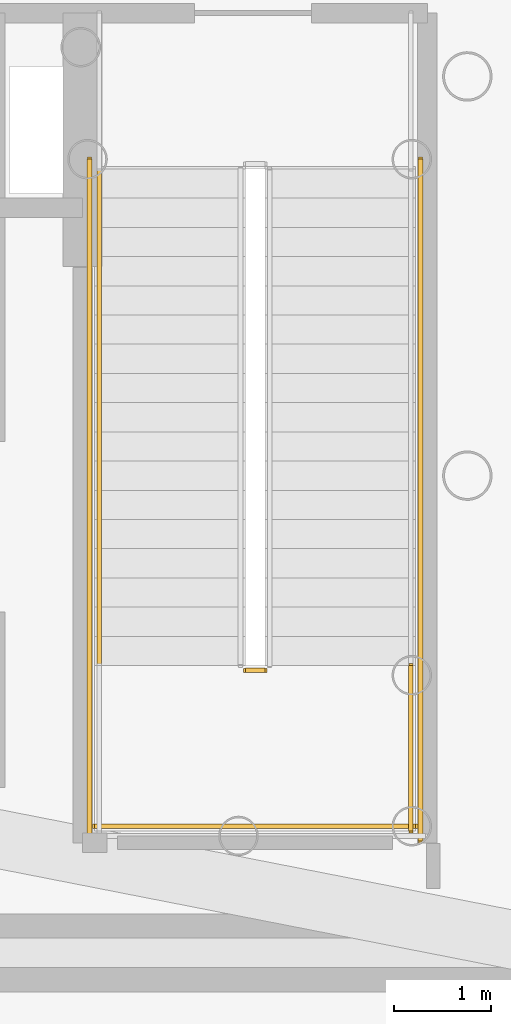
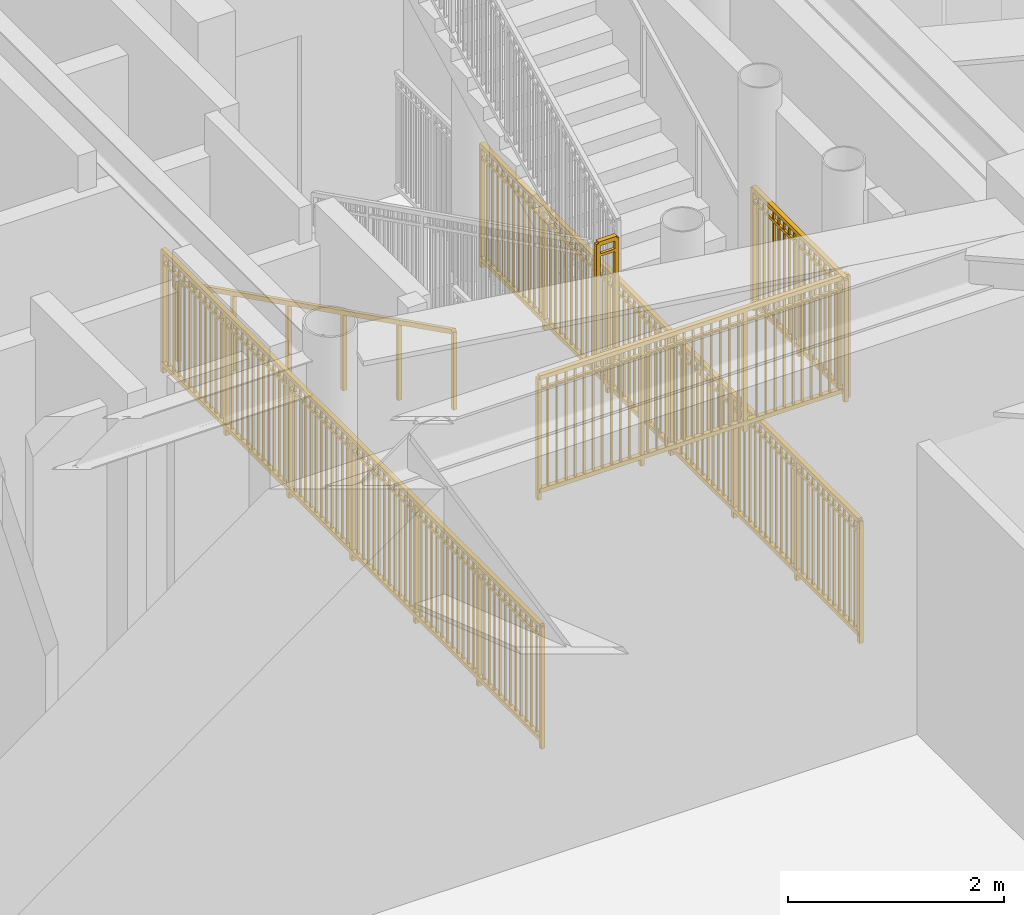
# One storey, part 13 of 15: 6 railings.
"""IFC4 building model written with IfcOpenShell, lengths in metres."""

from ifc_helpers import new_model, si_unit, direction, frame, origin, origin_2d, place, context, subcontext, project, spatial, rectangle, extrude, source, transform, mapped, material, type_object, element, save


model = new_model("IFC4")

# Units and contexts
model_context = context("Model", 3, precision=1e-05, world=origin(), true_north=direction((0.0, 1.0)))
body_context = subcontext(model_context, "Body", "Model", "MODEL_VIEW")
ifc_project = project(units=[si_unit("LENGTHUNIT", "METRE"), si_unit("AREAUNIT", "SQUARE_METRE"), si_unit("VOLUMEUNIT", "CUBIC_METRE"), si_unit("PLANEANGLEUNIT", "RADIAN"), si_unit("MASSUNIT", "GRAM", prefix="KILO")], contexts=[model_context])

# Site, building, storey
site_placement = place(None, origin())
site = spatial("IfcSite", under=ifc_project, at=site_placement, CompositionType="ELEMENT")
building_placement = place(site_placement, origin())
building = spatial("IfcBuilding", under=site, at=building_placement, Name="Linh Dai School and Residence Tower", CompositionType="ELEMENT")
storey_placement = place(building_placement, frame((0.0, 0.0, 145.949951171875)))
storey = spatial("IfcBuildingStorey", under=building, at=storey_placement, Name="L35", CompositionType="ELEMENT", Elevation=145.949951171875)

# Railings
ifc_material_1 = material(Name="Brushed Stainless Steel Handrail", Category="steel")
railing_type_1 = type_object("IfcRailingType", Name="RL-ST-HANDRAIL-900", PredefinedType="HANDRAIL", material=ifc_material_1)
shared_shape_1 = source(origin(), body_context, "Body", "SweptSolid", [
    extrude(rectangle(XDim=0.048095703125, YDim=0.048095703125, at=origin_2d()), frame((0.0, 0.0, 0.8759765625), z_axis=(0.0, -0.89444431709, 0.44717934168), x_axis=(1.0, 0.0, 0.0)), (0.0, 0.0, 1.0), 5.701904296875),
    extrude(rectangle(XDim=0.0419921875, YDim=0.0419921875, at=origin_2d()), origin(), (0.0, 0.0, 1.0), 0.8759765625),
    extrude(rectangle(XDim=0.0419921875, YDim=0.0419921875, at=origin_2d()), frame((0.0, -1.02001953125, 0.510009765625)), (0.0, 0.0, 1.0), 0.8759765625),
    extrude(rectangle(XDim=0.0419921875, YDim=0.0419921875, at=origin_2d()), frame((0.0, -2.0400390625, 1.02001953125)), (0.0, 0.0, 1.0), 0.8759765625),
    extrude(rectangle(XDim=0.0419921875, YDim=0.0419921875, at=origin_2d()), frame((0.0, -3.06005859375, 1.52978515625)), (0.0, 0.0, 1.0), 0.8759765625),
    extrude(rectangle(XDim=0.0419921875, YDim=0.0419921875, at=origin_2d()), frame((0.0, -4.080078125, 2.039794921875)), (0.0, 0.0, 1.0), 0.8759765625),
    extrude(rectangle(XDim=0.0419921875, YDim=0.0419921875, at=origin_2d()), frame((0.0, -5.10009765625, 2.5498046875)), (0.0, 0.0, 1.0), 0.8759765625),
])
railing_1_placement = place(storey_placement, frame((41.070068359375, 28.25, 0.150146484375)))
element("IfcRailing", 1, at=railing_1_placement, inside=storey, type_object=railing_type_1, Name="L35 ST2 stair handrail 1", PredefinedType="HANDRAIL", context=body_context, shape_type="MappedRepresentation", body=[
    mapped(shared_shape_1, transform((0.0, 0.0, 0.0), x_axis=(1.0, 0.0, 0.0), y_axis=(0.0, 1.0, 0.0), z_axis=(0.0, 0.0, 1.0), scale=1.0)),
])
ifc_material_2 = material(Name="Structural Steel S355JR", Category="steel")
railing_type_2 = type_object("IfcRailingType", Name="RL-ST-GUARD-1400", PredefinedType="GUARDRAIL", material=ifc_material_2)
shared_shape_2 = source(origin(), body_context, "Body", "SweptSolid", [
    extrude(rectangle(XDim=0.048095703125, YDim=0.048095703125, at=origin_2d()), frame((0.0, 0.0, 1.3759765625), z_axis=(1.0, 0.0, 0.0), x_axis=(0.0, 1.0, 0.0)), (0.0, 0.0, 1.0), 0.199951171875),
    extrude(rectangle(XDim=0.048095703125, YDim=0.048095703125, at=origin_2d()), frame((0.0, 0.0, 0.10009765625), z_axis=(1.0, 0.0, 0.0), x_axis=(0.0, 1.0, 0.0)), (0.0, 0.0, 1.0), 0.199951171875),
    extrude(rectangle(XDim=0.030029296875, YDim=0.030029296875, at=origin_2d()), frame((0.0, 0.0, 1.239990234375), z_axis=(1.0, 0.0, 0.0), x_axis=(0.0, 1.0, 0.0)), (0.0, 0.0, 1.0), 0.199951171875),
    extrude(rectangle(XDim=0.0419921875, YDim=0.0419921875, at=origin_2d()), origin(), (0.0, 0.0, 1.0), 1.3759765625),
    extrude(rectangle(XDim=0.0419921875, YDim=0.0419921875, at=origin_2d()), frame((0.199951171875, 0.0, 0.0)), (0.0, 0.0, 1.0), 1.3759765625),
])
railing_2_placement = place(storey_placement, frame((42.570068359375, 23.10009765625, 2.699951171875)))
element("IfcRailing", 2, at=railing_2_placement, inside=storey, type_object=railing_type_2, Name="L35 ST2 stair guard 2", PredefinedType="GUARDRAIL", context=body_context, shape_type="MappedRepresentation", body=[
    mapped(shared_shape_2, transform((0.0, 0.0, 0.0), x_axis=(1.0, 0.0, 0.0), y_axis=(0.0, 1.0, 0.0), z_axis=(0.0, 0.0, 1.0), scale=1.0)),
])
shared_shape_3 = source(origin(), body_context, "Body", "SweptSolid", [
    extrude(rectangle(XDim=0.048095703125, YDim=0.048095703125, at=origin_2d()), frame((0.0, 0.0, 1.3759765625), z_axis=(1.0, 0.0, 0.0), x_axis=(0.0, 1.0, 0.0)), (0.0, 0.0, 1.0), 3.300048828125),
    extrude(rectangle(XDim=0.048095703125, YDim=0.048095703125, at=origin_2d()), frame((0.0, 0.0, 0.10009765625), z_axis=(1.0, 0.0, 0.0), x_axis=(0.0, 1.0, 0.0)), (0.0, 0.0, 1.0), 3.300048828125),
    extrude(rectangle(XDim=0.030029296875, YDim=0.030029296875, at=origin_2d()), frame((0.0, 0.0, 1.239990234375), z_axis=(1.0, 0.0, 0.0), x_axis=(0.0, 1.0, 0.0)), (0.0, 0.0, 1.0), 3.300048828125),
    extrude(rectangle(XDim=0.02001953125, YDim=0.02001953125, at=origin_2d()), frame((0.09716796875, 0.0, 0.10009765625)), (0.0, 0.0, 1.0), 1.251708984375),
    extrude(rectangle(XDim=0.02001953125, YDim=0.02001953125, at=origin_2d()), frame((0.194091796875, 0.0, 0.10009765625)), (0.0, 0.0, 1.0), 1.251708984375),
    extrude(rectangle(XDim=0.02001953125, YDim=0.02001953125, at=origin_2d()), frame((0.291259765625, 0.0, 0.10009765625)), (0.0, 0.0, 1.0), 1.251708984375),
    extrude(rectangle(XDim=0.02001953125, YDim=0.02001953125, at=origin_2d()), frame((0.38818359375, 0.0, 0.10009765625)), (0.0, 0.0, 1.0), 1.251708984375),
    extrude(rectangle(XDim=0.02001953125, YDim=0.02001953125, at=origin_2d()), frame((0.4853515625, 0.0, 0.10009765625)), (0.0, 0.0, 1.0), 1.251708984375),
    extrude(rectangle(XDim=0.02001953125, YDim=0.02001953125, at=origin_2d()), frame((0.582275390625, 0.0, 0.10009765625)), (0.0, 0.0, 1.0), 1.251708984375),
    extrude(rectangle(XDim=0.02001953125, YDim=0.02001953125, at=origin_2d()), frame((0.679443359375, 0.0, 0.10009765625)), (0.0, 0.0, 1.0), 1.251708984375),
    extrude(rectangle(XDim=0.02001953125, YDim=0.02001953125, at=origin_2d()), frame((0.7763671875, 0.0, 0.10009765625)), (0.0, 0.0, 1.0), 1.251708984375),
    extrude(rectangle(XDim=0.02001953125, YDim=0.02001953125, at=origin_2d()), frame((0.87353515625, 0.0, 0.10009765625)), (0.0, 0.0, 1.0), 1.251708984375),
    extrude(rectangle(XDim=0.02001953125, YDim=0.02001953125, at=origin_2d()), frame((0.970703125, 0.0, 0.10009765625)), (0.0, 0.0, 1.0), 1.251708984375),
    extrude(rectangle(XDim=0.02001953125, YDim=0.02001953125, at=origin_2d()), frame((1.164794921875, 0.0, 0.10009765625)), (0.0, 0.0, 1.0), 1.251708984375),
    extrude(rectangle(XDim=0.02001953125, YDim=0.02001953125, at=origin_2d()), frame((1.26171875, 0.0, 0.10009765625)), (0.0, 0.0, 1.0), 1.251708984375),
    extrude(rectangle(XDim=0.02001953125, YDim=0.02001953125, at=origin_2d()), frame((1.35888671875, 0.0, 0.10009765625)), (0.0, 0.0, 1.0), 1.251708984375),
    extrude(rectangle(XDim=0.02001953125, YDim=0.02001953125, at=origin_2d()), frame((1.455810546875, 0.0, 0.10009765625)), (0.0, 0.0, 1.0), 1.251708984375),
    extrude(rectangle(XDim=0.02001953125, YDim=0.02001953125, at=origin_2d()), frame((1.552978515625, 0.0, 0.10009765625)), (0.0, 0.0, 1.0), 1.251708984375),
    extrude(rectangle(XDim=0.02001953125, YDim=0.02001953125, at=origin_2d()), frame((1.64990234375, 0.0, 0.10009765625)), (0.0, 0.0, 1.0), 1.251708984375),
    extrude(rectangle(XDim=0.02001953125, YDim=0.02001953125, at=origin_2d()), frame((1.7470703125, 0.0, 0.10009765625)), (0.0, 0.0, 1.0), 1.251708984375),
    extrude(rectangle(XDim=0.02001953125, YDim=0.02001953125, at=origin_2d()), frame((1.84423828125, 0.0, 0.10009765625)), (0.0, 0.0, 1.0), 1.251708984375),
    extrude(rectangle(XDim=0.02001953125, YDim=0.02001953125, at=origin_2d()), frame((1.941162109375, 0.0, 0.10009765625)), (0.0, 0.0, 1.0), 1.251708984375),
    extrude(rectangle(XDim=0.02001953125, YDim=0.02001953125, at=origin_2d()), frame((2.038330078125, 0.0, 0.10009765625)), (0.0, 0.0, 1.0), 1.251708984375),
    extrude(rectangle(XDim=0.02001953125, YDim=0.02001953125, at=origin_2d()), frame((2.13525390625, 0.0, 0.10009765625)), (0.0, 0.0, 1.0), 1.251708984375),
    extrude(rectangle(XDim=0.02001953125, YDim=0.02001953125, at=origin_2d()), frame((2.329345703125, 0.0, 0.10009765625)), (0.0, 0.0, 1.0), 1.251708984375),
    extrude(rectangle(XDim=0.02001953125, YDim=0.02001953125, at=origin_2d()), frame((2.426513671875, 0.0, 0.10009765625)), (0.0, 0.0, 1.0), 1.251708984375),
    extrude(rectangle(XDim=0.02001953125, YDim=0.02001953125, at=origin_2d()), frame((2.523681640625, 0.0, 0.10009765625)), (0.0, 0.0, 1.0), 1.251708984375),
    extrude(rectangle(XDim=0.02001953125, YDim=0.02001953125, at=origin_2d()), frame((2.62060546875, 0.0, 0.10009765625)), (0.0, 0.0, 1.0), 1.251708984375),
    extrude(rectangle(XDim=0.02001953125, YDim=0.02001953125, at=origin_2d()), frame((2.7177734375, 0.0, 0.10009765625)), (0.0, 0.0, 1.0), 1.251708984375),
    extrude(rectangle(XDim=0.02001953125, YDim=0.02001953125, at=origin_2d()), frame((2.814697265625, 0.0, 0.10009765625)), (0.0, 0.0, 1.0), 1.251708984375),
    extrude(rectangle(XDim=0.02001953125, YDim=0.02001953125, at=origin_2d()), frame((2.911865234375, 0.0, 0.10009765625)), (0.0, 0.0, 1.0), 1.251708984375),
    extrude(rectangle(XDim=0.02001953125, YDim=0.02001953125, at=origin_2d()), frame((3.0087890625, 0.0, 0.10009765625)), (0.0, 0.0, 1.0), 1.251708984375),
    extrude(rectangle(XDim=0.02001953125, YDim=0.02001953125, at=origin_2d()), frame((3.10595703125, 0.0, 0.10009765625)), (0.0, 0.0, 1.0), 1.251708984375),
    extrude(rectangle(XDim=0.02001953125, YDim=0.02001953125, at=origin_2d()), frame((3.202880859375, 0.0, 0.10009765625)), (0.0, 0.0, 1.0), 1.251708984375),
    extrude(rectangle(XDim=0.0419921875, YDim=0.0419921875, at=origin_2d()), origin(), (0.0, 0.0, 1.0), 1.3759765625),
    extrude(rectangle(XDim=0.0419921875, YDim=0.0419921875, at=origin_2d()), frame((1.10009765625, 0.0, 0.0)), (0.0, 0.0, 1.0), 1.3759765625),
    extrude(rectangle(XDim=0.0419921875, YDim=0.0419921875, at=origin_2d()), frame((2.199951171875, 0.0, 0.0)), (0.0, 0.0, 1.0), 1.3759765625),
    extrude(rectangle(XDim=0.0419921875, YDim=0.0419921875, at=origin_2d()), frame((3.300048828125, 0.0, 0.0)), (0.0, 0.0, 1.0), 1.3759765625),
])
railing_3_placement = place(storey_placement, frame((41.02001953125, 21.5, 2.699951171875)))
element("IfcRailing", 3, at=railing_3_placement, inside=storey, type_object=railing_type_2, Name="L35 ST2 stair guard 5", PredefinedType="GUARDRAIL", context=body_context, shape_type="MappedRepresentation", body=[
    mapped(shared_shape_3, transform((0.0, 0.0, 0.0), x_axis=(1.0, 0.0, 0.0), y_axis=(0.0, 1.0, 0.0), z_axis=(0.0, 0.0, 1.0), scale=1.0)),
])
shared_shape_4 = source(origin(), body_context, "Body", "SweptSolid", [
    extrude(rectangle(XDim=0.048095703125, YDim=0.048095703125, at=origin_2d()), frame((0.0, 0.0, 1.3759765625), z_axis=(0.0, -1.0, 0.0), x_axis=(1.0, 0.0, 0.0)), (0.0, 0.0, 1.0), 7.0),
    extrude(rectangle(XDim=0.048095703125, YDim=0.048095703125, at=origin_2d()), frame((0.0, 0.0, 0.10009765625), z_axis=(0.0, -1.0, 0.0), x_axis=(1.0, 0.0, 0.0)), (0.0, 0.0, 1.0), 7.0),
    extrude(rectangle(XDim=0.030029296875, YDim=0.030029296875, at=origin_2d()), frame((0.0, 0.0, 1.239990234375), z_axis=(0.0, -1.0, 0.0), x_axis=(1.0, 0.0, 0.0)), (0.0, 0.0, 1.0), 7.0),
    extrude(rectangle(XDim=0.02001953125, YDim=0.02001953125, at=origin_2d()), frame((0.0, -0.09716796875, 0.10009765625)), (0.0, 0.0, 1.0), 1.251708984375),
    extrude(rectangle(XDim=0.02001953125, YDim=0.02001953125, at=origin_2d()), frame((0.0, -0.1943359375, 0.10009765625)), (0.0, 0.0, 1.0), 1.251708984375),
    extrude(rectangle(XDim=0.02001953125, YDim=0.02001953125, at=origin_2d()), frame((0.0, -0.291748046875, 0.10009765625)), (0.0, 0.0, 1.0), 1.251708984375),
    extrude(rectangle(XDim=0.02001953125, YDim=0.02001953125, at=origin_2d()), frame((0.0, -0.388916015625, 0.10009765625)), (0.0, 0.0, 1.0), 1.251708984375),
    extrude(rectangle(XDim=0.02001953125, YDim=0.02001953125, at=origin_2d()), frame((0.0, -0.486083984375, 0.10009765625)), (0.0, 0.0, 1.0), 1.251708984375),
    extrude(rectangle(XDim=0.02001953125, YDim=0.02001953125, at=origin_2d()), frame((0.0, -0.583251953125, 0.10009765625)), (0.0, 0.0, 1.0), 1.251708984375),
    extrude(rectangle(XDim=0.02001953125, YDim=0.02001953125, at=origin_2d()), frame((0.0, -0.6806640625, 0.10009765625)), (0.0, 0.0, 1.0), 1.251708984375),
    extrude(rectangle(XDim=0.02001953125, YDim=0.02001953125, at=origin_2d()), frame((0.0, -0.77783203125, 0.10009765625)), (0.0, 0.0, 1.0), 1.251708984375),
    extrude(rectangle(XDim=0.02001953125, YDim=0.02001953125, at=origin_2d()), frame((0.0, -0.875, 0.10009765625)), (0.0, 0.0, 1.0), 1.251708984375),
    extrude(rectangle(XDim=0.02001953125, YDim=0.02001953125, at=origin_2d()), frame((0.0, -0.97216796875, 0.10009765625)), (0.0, 0.0, 1.0), 1.251708984375),
    extrude(rectangle(XDim=0.02001953125, YDim=0.02001953125, at=origin_2d()), frame((0.0, -1.0693359375, 0.10009765625)), (0.0, 0.0, 1.0), 1.251708984375),
    extrude(rectangle(XDim=0.02001953125, YDim=0.02001953125, at=origin_2d()), frame((0.0, -1.263916015625, 0.10009765625)), (0.0, 0.0, 1.0), 1.251708984375),
    extrude(rectangle(XDim=0.02001953125, YDim=0.02001953125, at=origin_2d()), frame((0.0, -1.361083984375, 0.10009765625)), (0.0, 0.0, 1.0), 1.251708984375),
    extrude(rectangle(XDim=0.02001953125, YDim=0.02001953125, at=origin_2d()), frame((0.0, -1.458251953125, 0.10009765625)), (0.0, 0.0, 1.0), 1.251708984375),
    extrude(rectangle(XDim=0.02001953125, YDim=0.02001953125, at=origin_2d()), frame((0.0, -1.5556640625, 0.10009765625)), (0.0, 0.0, 1.0), 1.251708984375),
    extrude(rectangle(XDim=0.02001953125, YDim=0.02001953125, at=origin_2d()), frame((0.0, -1.65283203125, 0.10009765625)), (0.0, 0.0, 1.0), 1.251708984375),
    extrude(rectangle(XDim=0.02001953125, YDim=0.02001953125, at=origin_2d()), frame((0.0, -1.75, 0.10009765625)), (0.0, 0.0, 1.0), 1.251708984375),
    extrude(rectangle(XDim=0.02001953125, YDim=0.02001953125, at=origin_2d()), frame((0.0, -1.84716796875, 0.10009765625)), (0.0, 0.0, 1.0), 1.251708984375),
    extrude(rectangle(XDim=0.02001953125, YDim=0.02001953125, at=origin_2d()), frame((0.0, -1.9443359375, 0.10009765625)), (0.0, 0.0, 1.0), 1.251708984375),
    extrude(rectangle(XDim=0.02001953125, YDim=0.02001953125, at=origin_2d()), frame((0.0, -2.041748046875, 0.10009765625)), (0.0, 0.0, 1.0), 1.251708984375),
    extrude(rectangle(XDim=0.02001953125, YDim=0.02001953125, at=origin_2d()), frame((0.0, -2.138916015625, 0.10009765625)), (0.0, 0.0, 1.0), 1.251708984375),
    extrude(rectangle(XDim=0.02001953125, YDim=0.02001953125, at=origin_2d()), frame((0.0, -2.236083984375, 0.10009765625)), (0.0, 0.0, 1.0), 1.251708984375),
    extrude(rectangle(XDim=0.02001953125, YDim=0.02001953125, at=origin_2d()), frame((0.0, -2.4306640625, 0.10009765625)), (0.0, 0.0, 1.0), 1.251708984375),
    extrude(rectangle(XDim=0.02001953125, YDim=0.02001953125, at=origin_2d()), frame((0.0, -2.52783203125, 0.10009765625)), (0.0, 0.0, 1.0), 1.251708984375),
    extrude(rectangle(XDim=0.02001953125, YDim=0.02001953125, at=origin_2d()), frame((0.0, -2.625, 0.10009765625)), (0.0, 0.0, 1.0), 1.251708984375),
    extrude(rectangle(XDim=0.02001953125, YDim=0.02001953125, at=origin_2d()), frame((0.0, -2.72216796875, 0.10009765625)), (0.0, 0.0, 1.0), 1.251708984375),
    extrude(rectangle(XDim=0.02001953125, YDim=0.02001953125, at=origin_2d()), frame((0.0, -2.8193359375, 0.10009765625)), (0.0, 0.0, 1.0), 1.251708984375),
    extrude(rectangle(XDim=0.02001953125, YDim=0.02001953125, at=origin_2d()), frame((0.0, -2.916748046875, 0.10009765625)), (0.0, 0.0, 1.0), 1.251708984375),
    extrude(rectangle(XDim=0.02001953125, YDim=0.02001953125, at=origin_2d()), frame((0.0, -3.013916015625, 0.10009765625)), (0.0, 0.0, 1.0), 1.251708984375),
    extrude(rectangle(XDim=0.02001953125, YDim=0.02001953125, at=origin_2d()), frame((0.0, -3.111083984375, 0.10009765625)), (0.0, 0.0, 1.0), 1.251708984375),
    extrude(rectangle(XDim=0.02001953125, YDim=0.02001953125, at=origin_2d()), frame((0.0, -3.208251953125, 0.10009765625)), (0.0, 0.0, 1.0), 1.251708984375),
    extrude(rectangle(XDim=0.02001953125, YDim=0.02001953125, at=origin_2d()), frame((0.0, -3.3056640625, 0.10009765625)), (0.0, 0.0, 1.0), 1.251708984375),
    extrude(rectangle(XDim=0.02001953125, YDim=0.02001953125, at=origin_2d()), frame((0.0, -3.40283203125, 0.10009765625)), (0.0, 0.0, 1.0), 1.251708984375),
    extrude(rectangle(XDim=0.02001953125, YDim=0.02001953125, at=origin_2d()), frame((0.0, -3.59716796875, 0.10009765625)), (0.0, 0.0, 1.0), 1.251708984375),
    extrude(rectangle(XDim=0.02001953125, YDim=0.02001953125, at=origin_2d()), frame((0.0, -3.6943359375, 0.10009765625)), (0.0, 0.0, 1.0), 1.251708984375),
    extrude(rectangle(XDim=0.02001953125, YDim=0.02001953125, at=origin_2d()), frame((0.0, -3.791748046875, 0.10009765625)), (0.0, 0.0, 1.0), 1.251708984375),
    extrude(rectangle(XDim=0.02001953125, YDim=0.02001953125, at=origin_2d()), frame((0.0, -3.888916015625, 0.10009765625)), (0.0, 0.0, 1.0), 1.251708984375),
    extrude(rectangle(XDim=0.02001953125, YDim=0.02001953125, at=origin_2d()), frame((0.0, -3.986083984375, 0.10009765625)), (0.0, 0.0, 1.0), 1.251708984375),
    extrude(rectangle(XDim=0.02001953125, YDim=0.02001953125, at=origin_2d()), frame((0.0, -4.083251953125, 0.10009765625)), (0.0, 0.0, 1.0), 1.251708984375),
    extrude(rectangle(XDim=0.02001953125, YDim=0.02001953125, at=origin_2d()), frame((0.0, -4.1806640625, 0.10009765625)), (0.0, 0.0, 1.0), 1.251708984375),
    extrude(rectangle(XDim=0.02001953125, YDim=0.02001953125, at=origin_2d()), frame((0.0, -4.27783203125, 0.10009765625)), (0.0, 0.0, 1.0), 1.251708984375),
    extrude(rectangle(XDim=0.02001953125, YDim=0.02001953125, at=origin_2d()), frame((0.0, -4.375, 0.10009765625)), (0.0, 0.0, 1.0), 1.251708984375),
    extrude(rectangle(XDim=0.02001953125, YDim=0.02001953125, at=origin_2d()), frame((0.0, -4.47216796875, 0.10009765625)), (0.0, 0.0, 1.0), 1.251708984375),
    extrude(rectangle(XDim=0.02001953125, YDim=0.02001953125, at=origin_2d()), frame((0.0, -4.5693359375, 0.10009765625)), (0.0, 0.0, 1.0), 1.251708984375),
    extrude(rectangle(XDim=0.02001953125, YDim=0.02001953125, at=origin_2d()), frame((0.0, -4.763916015625, 0.10009765625)), (0.0, 0.0, 1.0), 1.251708984375),
    extrude(rectangle(XDim=0.02001953125, YDim=0.02001953125, at=origin_2d()), frame((0.0, -4.861083984375, 0.10009765625)), (0.0, 0.0, 1.0), 1.251708984375),
    extrude(rectangle(XDim=0.02001953125, YDim=0.02001953125, at=origin_2d()), frame((0.0, -4.958251953125, 0.10009765625)), (0.0, 0.0, 1.0), 1.251708984375),
    extrude(rectangle(XDim=0.02001953125, YDim=0.02001953125, at=origin_2d()), frame((0.0, -5.0556640625, 0.10009765625)), (0.0, 0.0, 1.0), 1.251708984375),
    extrude(rectangle(XDim=0.02001953125, YDim=0.02001953125, at=origin_2d()), frame((0.0, -5.15283203125, 0.10009765625)), (0.0, 0.0, 1.0), 1.251708984375),
    extrude(rectangle(XDim=0.02001953125, YDim=0.02001953125, at=origin_2d()), frame((0.0, -5.25, 0.10009765625)), (0.0, 0.0, 1.0), 1.251708984375),
    extrude(rectangle(XDim=0.02001953125, YDim=0.02001953125, at=origin_2d()), frame((0.0, -5.34716796875, 0.10009765625)), (0.0, 0.0, 1.0), 1.251708984375),
    extrude(rectangle(XDim=0.02001953125, YDim=0.02001953125, at=origin_2d()), frame((0.0, -5.4443359375, 0.10009765625)), (0.0, 0.0, 1.0), 1.251708984375),
    extrude(rectangle(XDim=0.02001953125, YDim=0.02001953125, at=origin_2d()), frame((0.0, -5.541748046875, 0.10009765625)), (0.0, 0.0, 1.0), 1.251708984375),
    extrude(rectangle(XDim=0.02001953125, YDim=0.02001953125, at=origin_2d()), frame((0.0, -5.638916015625, 0.10009765625)), (0.0, 0.0, 1.0), 1.251708984375),
    extrude(rectangle(XDim=0.02001953125, YDim=0.02001953125, at=origin_2d()), frame((0.0, -5.736083984375, 0.10009765625)), (0.0, 0.0, 1.0), 1.251708984375),
    extrude(rectangle(XDim=0.02001953125, YDim=0.02001953125, at=origin_2d()), frame((0.0, -5.9306640625, 0.10009765625)), (0.0, 0.0, 1.0), 1.251708984375),
    extrude(rectangle(XDim=0.02001953125, YDim=0.02001953125, at=origin_2d()), frame((0.0, -6.02783203125, 0.10009765625)), (0.0, 0.0, 1.0), 1.251708984375),
    extrude(rectangle(XDim=0.02001953125, YDim=0.02001953125, at=origin_2d()), frame((0.0, -6.125, 0.10009765625)), (0.0, 0.0, 1.0), 1.251708984375),
    extrude(rectangle(XDim=0.02001953125, YDim=0.02001953125, at=origin_2d()), frame((0.0, -6.22216796875, 0.10009765625)), (0.0, 0.0, 1.0), 1.251708984375),
    extrude(rectangle(XDim=0.02001953125, YDim=0.02001953125, at=origin_2d()), frame((0.0, -6.3193359375, 0.10009765625)), (0.0, 0.0, 1.0), 1.251708984375),
    extrude(rectangle(XDim=0.02001953125, YDim=0.02001953125, at=origin_2d()), frame((0.0, -6.416748046875, 0.10009765625)), (0.0, 0.0, 1.0), 1.251708984375),
    extrude(rectangle(XDim=0.02001953125, YDim=0.02001953125, at=origin_2d()), frame((0.0, -6.513916015625, 0.10009765625)), (0.0, 0.0, 1.0), 1.251708984375),
    extrude(rectangle(XDim=0.02001953125, YDim=0.02001953125, at=origin_2d()), frame((0.0, -6.611083984375, 0.10009765625)), (0.0, 0.0, 1.0), 1.251708984375),
    extrude(rectangle(XDim=0.02001953125, YDim=0.02001953125, at=origin_2d()), frame((0.0, -6.708251953125, 0.10009765625)), (0.0, 0.0, 1.0), 1.251708984375),
    extrude(rectangle(XDim=0.02001953125, YDim=0.02001953125, at=origin_2d()), frame((0.0, -6.8056640625, 0.10009765625)), (0.0, 0.0, 1.0), 1.251708984375),
    extrude(rectangle(XDim=0.02001953125, YDim=0.02001953125, at=origin_2d()), frame((0.0, -6.90283203125, 0.10009765625)), (0.0, 0.0, 1.0), 1.251708984375),
    extrude(rectangle(XDim=0.0419921875, YDim=0.0419921875, at=origin_2d()), origin(), (0.0, 0.0, 1.0), 1.3759765625),
    extrude(rectangle(XDim=0.0419921875, YDim=0.0419921875, at=origin_2d()), frame((0.0, -1.166748046875, 0.0)), (0.0, 0.0, 1.0), 1.3759765625),
    extrude(rectangle(XDim=0.0419921875, YDim=0.0419921875, at=origin_2d()), frame((0.0, -2.333251953125, 0.0)), (0.0, 0.0, 1.0), 1.3759765625),
    extrude(rectangle(XDim=0.0419921875, YDim=0.0419921875, at=origin_2d()), frame((0.0, -3.5, 0.0)), (0.0, 0.0, 1.0), 1.3759765625),
    extrude(rectangle(XDim=0.0419921875, YDim=0.0419921875, at=origin_2d()), frame((0.0, -4.666748046875, 0.0)), (0.0, 0.0, 1.0), 1.3759765625),
    extrude(rectangle(XDim=0.0419921875, YDim=0.0419921875, at=origin_2d()), frame((0.0, -5.833251953125, 0.0)), (0.0, 0.0, 1.0), 1.3759765625),
    extrude(rectangle(XDim=0.0419921875, YDim=0.0419921875, at=origin_2d()), frame((0.0, -7.0, 0.0)), (0.0, 0.0, 1.0), 1.3759765625),
])
for number, where, name in (
    (4, (40.969970703125, 28.35009765625, 0.0), "L35 ST2 stair guard 10"),
    (5, (44.3701171875, 28.35009765625, 0.0), "L35 ST2 stair guard 11"),
):
    element("IfcRailing", number, at=place(storey_placement, frame(where)), inside=storey, type_object=railing_type_2, Name=name, PredefinedType="GUARDRAIL", context=body_context, shape_type="MappedRepresentation", body=[
        mapped(shared_shape_4, transform((0.0, 0.0, 0.0), x_axis=(1.0, 0.0, 0.0), y_axis=(0.0, 1.0, 0.0), z_axis=(0.0, 0.0, 1.0), scale=1.0)),
    ])
shared_shape_5 = source(origin(), body_context, "Body", "SweptSolid", [
    extrude(rectangle(XDim=0.048095703125, YDim=0.048095703125, at=origin_2d()), frame((0.0, 0.0, 1.3759765625), z_axis=(0.0, -1.0, 0.0), x_axis=(1.0, 0.0, 0.0)), (0.0, 0.0, 1.0), 1.699951171875),
    extrude(rectangle(XDim=0.048095703125, YDim=0.048095703125, at=origin_2d()), frame((0.0, 0.0, 0.10009765625), z_axis=(0.0, -1.0, 0.0), x_axis=(1.0, 0.0, 0.0)), (0.0, 0.0, 1.0), 1.699951171875),
    extrude(rectangle(XDim=0.030029296875, YDim=0.030029296875, at=origin_2d()), frame((0.0, 0.0, 1.239990234375), z_axis=(0.0, -1.0, 0.0), x_axis=(1.0, 0.0, 0.0)), (0.0, 0.0, 1.0), 1.699951171875),
    extrude(rectangle(XDim=0.02001953125, YDim=0.02001953125, at=origin_2d()), frame((0.0, -0.094482421875, 0.10009765625)), (0.0, 0.0, 1.0), 1.251708984375),
    extrude(rectangle(XDim=0.02001953125, YDim=0.02001953125, at=origin_2d()), frame((0.0, -0.18896484375, 0.10009765625)), (0.0, 0.0, 1.0), 1.251708984375),
    extrude(rectangle(XDim=0.02001953125, YDim=0.02001953125, at=origin_2d()), frame((0.0, -0.283203125, 0.10009765625)), (0.0, 0.0, 1.0), 1.251708984375),
    extrude(rectangle(XDim=0.02001953125, YDim=0.02001953125, at=origin_2d()), frame((0.0, -0.377685546875, 0.10009765625)), (0.0, 0.0, 1.0), 1.251708984375),
    extrude(rectangle(XDim=0.02001953125, YDim=0.02001953125, at=origin_2d()), frame((0.0, -0.47216796875, 0.10009765625)), (0.0, 0.0, 1.0), 1.251708984375),
    extrude(rectangle(XDim=0.02001953125, YDim=0.02001953125, at=origin_2d()), frame((0.0, -0.566650390625, 0.10009765625)), (0.0, 0.0, 1.0), 1.251708984375),
    extrude(rectangle(XDim=0.02001953125, YDim=0.02001953125, at=origin_2d()), frame((0.0, -0.6611328125, 0.10009765625)), (0.0, 0.0, 1.0), 1.251708984375),
    extrude(rectangle(XDim=0.02001953125, YDim=0.02001953125, at=origin_2d()), frame((0.0, -0.755615234375, 0.10009765625)), (0.0, 0.0, 1.0), 1.251708984375),
    extrude(rectangle(XDim=0.02001953125, YDim=0.02001953125, at=origin_2d()), frame((0.0, -0.9443359375, 0.10009765625)), (0.0, 0.0, 1.0), 1.251708984375),
    extrude(rectangle(XDim=0.02001953125, YDim=0.02001953125, at=origin_2d()), frame((0.0, -1.038818359375, 0.10009765625)), (0.0, 0.0, 1.0), 1.251708984375),
    extrude(rectangle(XDim=0.02001953125, YDim=0.02001953125, at=origin_2d()), frame((0.0, -1.13330078125, 0.10009765625)), (0.0, 0.0, 1.0), 1.251708984375),
    extrude(rectangle(XDim=0.02001953125, YDim=0.02001953125, at=origin_2d()), frame((0.0, -1.227783203125, 0.10009765625)), (0.0, 0.0, 1.0), 1.251708984375),
    extrude(rectangle(XDim=0.02001953125, YDim=0.02001953125, at=origin_2d()), frame((0.0, -1.322265625, 0.10009765625)), (0.0, 0.0, 1.0), 1.251708984375),
    extrude(rectangle(XDim=0.02001953125, YDim=0.02001953125, at=origin_2d()), frame((0.0, -1.41650390625, 0.10009765625)), (0.0, 0.0, 1.0), 1.251708984375),
    extrude(rectangle(XDim=0.02001953125, YDim=0.02001953125, at=origin_2d()), frame((0.0, -1.510986328125, 0.10009765625)), (0.0, 0.0, 1.0), 1.251708984375),
    extrude(rectangle(XDim=0.02001953125, YDim=0.02001953125, at=origin_2d()), frame((0.0, -1.60546875, 0.10009765625)), (0.0, 0.0, 1.0), 1.251708984375),
    extrude(rectangle(XDim=0.0419921875, YDim=0.0419921875, at=origin_2d()), origin(), (0.0, 0.0, 1.0), 1.3759765625),
    extrude(rectangle(XDim=0.0419921875, YDim=0.0419921875, at=origin_2d()), frame((0.0, -0.85009765625, 0.0)), (0.0, 0.0, 1.0), 1.3759765625),
    extrude(rectangle(XDim=0.0419921875, YDim=0.0419921875, at=origin_2d()), frame((0.0, -1.699951171875, 0.0)), (0.0, 0.0, 1.0), 1.3759765625),
])
railing_4_placement = place(storey_placement, frame((44.27001953125, 23.14990234375, 2.699951171875)))
element("IfcRailing", 6, at=railing_4_placement, inside=storey, type_object=railing_type_2, Name="L35 ST2 stair guard 4", PredefinedType="GUARDRAIL", context=body_context, shape_type="MappedRepresentation", body=[
    mapped(shared_shape_5, transform((0.0, 0.0, 0.0), x_axis=(1.0, 0.0, 0.0), y_axis=(0.0, 1.0, 0.0), z_axis=(0.0, 0.0, 1.0), scale=1.0)),
])

save(model, "model.ifc")
